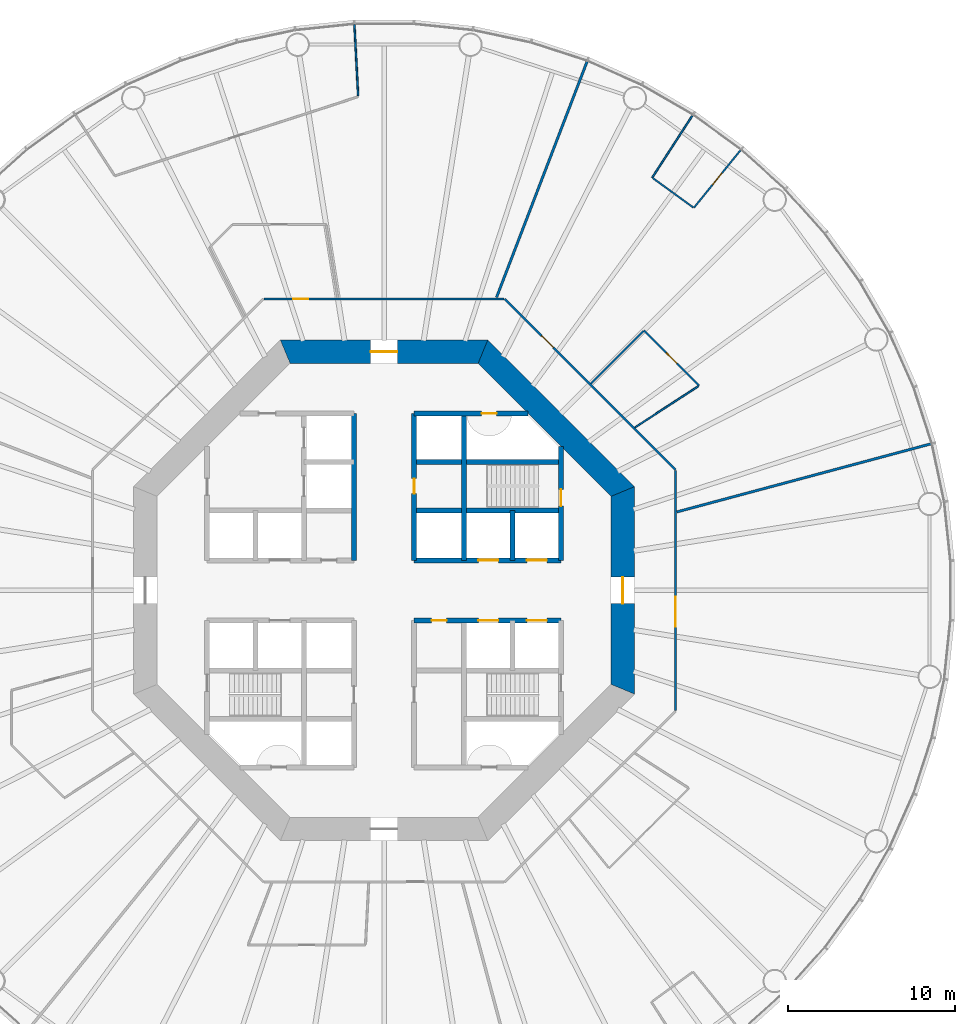
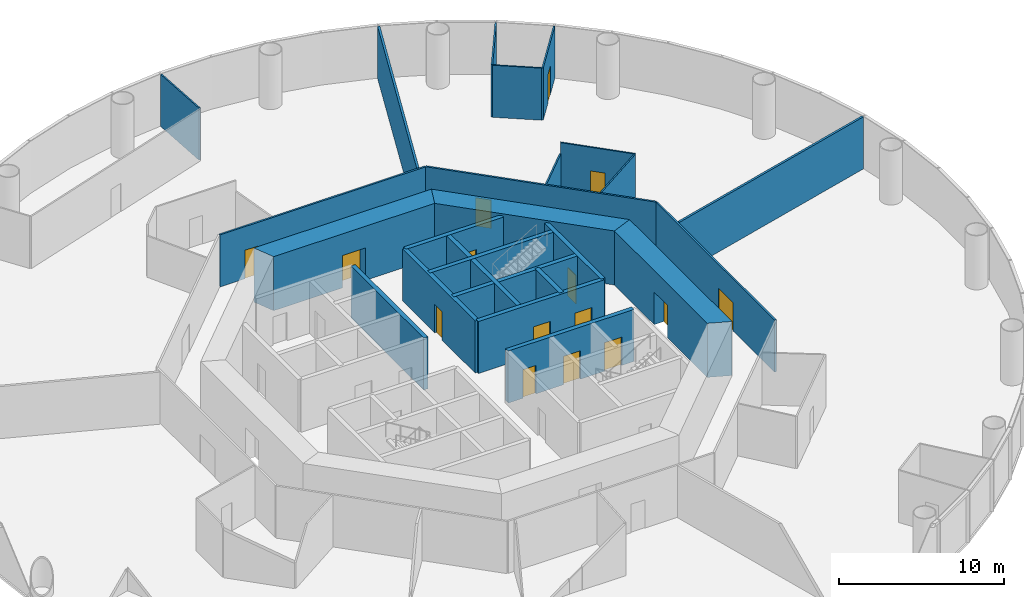
# One storey, part 5 of 13: 25 walls, 15 doors, 15 openings.
"""IFC4 building model written with IfcOpenShell, lengths in metres."""

from ifc_helpers import new_model, si_unit, direction, frame, frame_2d, origin, place, context, subcontext, project, spatial, polyline, rectangle, outline, extrude, material, layer, layer_set, type_object, element, fill, save


model = new_model("IFC4")

# Units and contexts
model_context = context("Model", 3, precision=1e-05, world=origin(), true_north=direction((0.0, 1.0)))
body_context = subcontext(model_context, "Body", "Model", "MODEL_VIEW")
ifc_project = project(units=[si_unit("LENGTHUNIT", "METRE"), si_unit("AREAUNIT", "SQUARE_METRE"), si_unit("VOLUMEUNIT", "CUBIC_METRE"), si_unit("PLANEANGLEUNIT", "RADIAN"), si_unit("MASSUNIT", "GRAM", prefix="KILO")], contexts=[model_context])

# Site, building, storey
site_placement = place(None, origin())
site = spatial("IfcSite", under=ifc_project, at=site_placement, CompositionType="ELEMENT")
building_placement = place(site_placement, origin())
building = spatial("IfcBuilding", under=site, at=building_placement, Name="Entoto Ring Tower", CompositionType="ELEMENT")
storey_placement = place(building_placement, frame((0.0, 0.0, 22.0)))
storey = spatial("IfcBuildingStorey", under=building, at=storey_placement, Name="L03", CompositionType="ELEMENT", Elevation=22.0)

# Wall, opening, door
ifc_material_1 = material(Name="Concrete C40/50", Category="concrete")
ifc_layer_1 = layer(ifc_material_1, 0.300048828125)
ifc_layer_set_1 = layer_set([ifc_layer_1], Name="Concrete C40/50")
wall_type_1 = type_object("IfcWallType", Name="Core enclosure wall 300 mm reinforced concrete", PredefinedType="SOLIDWALL", material=ifc_layer_set_1)
wall_1_placement = place(storey_placement, frame((100.60009765625, 81.800048828125, 0.0), z_axis=(0.0, 0.0, 1.0), x_axis=(0.0, 1.0, 0.0)))
wall_1 = element("IfcWall", 1, at=wall_1_placement, inside=storey, type_object=wall_type_1, Name="wall-L03-002", PredefinedType="SOLIDWALL", context=body_context, shape_type="SweptSolid", body=[
    extrude(rectangle(XDim=6.833251953125, YDim=0.300048828125, at=frame_2d((3.41650390625, 0.0))), origin(), (0.0, 0.0, 1.0), 3.85009765625),
])
opening_1_placement = place(wall_1_placement, frame((3.25, 0.0, 0.0)))
opening_1 = element("IfcOpeningElement", 2, at=opening_1_placement, cuts=wall_1, Name="Opening K-55", PredefinedType="OPENING", context=body_context, shape_type="SweptSolid", body=[
    extrude(rectangle(XDim=1.0, YDim=2.10009765625, at=frame_2d((0.5, 1.050048828125))), frame((0.0, 0.16015625, 0.0), z_axis=(0.0, -1.0, 0.0), x_axis=(1.0, 0.0, 0.0)), (0.0, 0.0, 1.0), 0.320068359375),
])
ifc_material_2 = material(Name="Steel door leaf, fire rated", Category="steel")
ifc_layer_2 = layer(ifc_material_2, 0.050048828125)
ifc_layer_set_2 = layer_set([ifc_layer_2], Name="Steel door leaf, fire rated")
door_type_1 = type_object("IfcDoorType", Name="Fire door FD60 1000 x 2100 single leaf", OperationType="NOTDEFINED", PredefinedType="DOOR", material=ifc_layer_set_2)
door_1_placement = place(opening_1_placement, origin())
door_1 = element("IfcDoor", 3, at=door_1_placement, inside=storey, type_object=door_type_1, Name="Door K-55", OperationType="SINGLE_SWING_LEFT", OverallHeight=2.10009765625, OverallWidth=1.0, PredefinedType="DOOR", context=body_context, shape_type="SweptSolid", body=[
    extrude(rectangle(XDim=1.0, YDim=2.10009765625, at=frame_2d((0.5, 1.050048828125))), frame((0.0, 0.02490234375, 0.0), z_axis=(0.0, -1.0, 0.0), x_axis=(1.0, 0.0, 0.0)), (0.0, 0.0, 1.0), 0.050048828125),
])
fill(opening_1, door_1)

# Walls
wall_2_placement = place(storey_placement, frame((97.699951171875, 81.800048828125, 0.0), z_axis=(0.0, 0.0, 1.0), x_axis=(0.0, 1.0, 0.0)))
element("IfcWall", 4, at=wall_2_placement, inside=storey, type_object=wall_type_1, Name="wall-L03-004", PredefinedType="SOLIDWALL", context=body_context, shape_type="SweptSolid", body=[
    extrude(rectangle(XDim=3.0, YDim=0.300048828125, at=frame_2d((1.5, 0.0))), origin(), (0.0, 0.0, 1.0), 3.85009765625),
])
wall_3_placement = place(storey_placement, frame((94.800048828125, 81.800048828125, 0.0), z_axis=(0.0, 0.0, 1.0), x_axis=(0.0, 1.0, 0.0)))
element("IfcWall", 5, at=wall_3_placement, inside=storey, type_object=wall_type_1, Name="wall-L03-006", PredefinedType="SOLIDWALL", context=body_context, shape_type="SweptSolid", body=[
    extrude(rectangle(XDim=8.800048828125, YDim=0.300048828125, at=frame_2d((4.39990234375, 0.0))), origin(), (0.0, 0.0, 1.0), 3.85009765625),
])

# Wall, opening, door
wall_4_placement = place(storey_placement, frame((91.800048828125, 81.800048828125, 0.0), z_axis=(0.0, 0.0, 1.0), x_axis=(0.0, 1.0, 0.0)))
wall_4 = element("IfcWall", 6, at=wall_4_placement, inside=storey, type_object=wall_type_1, Name="wall-L03-008", PredefinedType="SOLIDWALL", context=body_context, shape_type="SweptSolid", body=[
    extrude(rectangle(XDim=8.800048828125, YDim=0.300048828125, at=frame_2d((4.39990234375, 0.0))), origin(), (0.0, 0.0, 1.0), 3.85009765625),
])
opening_2_placement = place(wall_4_placement, frame((4.0, 0.0, 0.0)))
opening_2 = element("IfcOpeningElement", 7, at=opening_2_placement, cuts=wall_4, Name="Opening K-11", PredefinedType="OPENING", context=body_context, shape_type="SweptSolid", body=[
    extrude(rectangle(XDim=0.89990234375, YDim=2.10009765625, at=frame_2d((0.449951171875, 1.050048828125))), frame((0.0, 0.16015625, 0.0), z_axis=(0.0, -1.0, 0.0), x_axis=(1.0, 0.0, 0.0)), (0.0, 0.0, 1.0), 0.320068359375),
])
ifc_material_3 = material(Name="Steel door leaf, fire rated", Category="steel")
ifc_layer_3 = layer(ifc_material_3, 0.050048828125)
ifc_layer_set_3 = layer_set([ifc_layer_3], Name="Steel door leaf, fire rated")
door_type_2 = type_object("IfcDoorType", Name="Core door 900 x 2100 single leaf", OperationType="NOTDEFINED", PredefinedType="DOOR", material=ifc_layer_set_3)
door_2_placement = place(opening_2_placement, origin())
door_2 = element("IfcDoor", 8, at=door_2_placement, inside=storey, type_object=door_type_2, Name="Door K-11", OperationType="SINGLE_SWING_RIGHT", OverallHeight=2.10009765625, OverallWidth=0.89990234375, PredefinedType="DOOR", context=body_context, shape_type="SweptSolid", body=[
    extrude(rectangle(XDim=0.89990234375, YDim=2.10009765625, at=frame_2d((0.449951171875, 1.050048828125))), frame((0.0, 0.02490234375, 0.0), z_axis=(0.0, -1.0, 0.0), x_axis=(1.0, 0.0, 0.0)), (0.0, 0.0, 1.0), 0.050048828125),
])
fill(opening_2, door_2)

# Wall
wall_5_placement = place(storey_placement, frame((88.199951171875, 81.800048828125, 0.0), z_axis=(0.0, 0.0, 1.0), x_axis=(0.0, 1.0, 0.0)))
element("IfcWall", 9, at=wall_5_placement, inside=storey, type_object=wall_type_1, Name="wall-L03-010", PredefinedType="SOLIDWALL", context=body_context, shape_type="SweptSolid", body=[
    extrude(rectangle(XDim=8.800048828125, YDim=0.300048828125, at=frame_2d((4.39990234375, 0.0))), origin(), (0.0, 0.0, 1.0), 3.85009765625),
])

# Wall, openings, doors
wall_6_placement = place(storey_placement, frame((91.800048828125, 78.199951171875, 0.0), z_axis=(0.0, 0.0, 1.0), x_axis=(1.0, 0.0, 0.0)))
wall_6 = element("IfcWall", 10, at=wall_6_placement, inside=storey, type_object=wall_type_1, Name="wall-L03-024", PredefinedType="SOLIDWALL", context=body_context, shape_type="SweptSolid", body=[
    extrude(rectangle(XDim=8.800048828125, YDim=0.300048828125, at=frame_2d((4.39990234375, 0.0))), origin(), (0.0, 0.0, 1.0), 3.85009765625),
])
opening_3_placement = place(wall_6_placement, frame((3.85009765625, 0.0, 0.0)))
opening_3 = element("IfcOpeningElement", 11, at=opening_3_placement, cuts=wall_6, Name="Opening LD", PredefinedType="OPENING", context=body_context, shape_type="SweptSolid", body=[
    extrude(rectangle(XDim=1.199951171875, YDim=2.10009765625, at=frame_2d((0.60009765625, 1.050048828125))), frame((0.0, 0.16015625, 0.0), z_axis=(0.0, -1.0, 0.0), x_axis=(1.0, 0.0, 0.0)), (0.0, 0.0, 1.0), 0.320068359375),
])
opening_4_placement = place(wall_6_placement, frame((6.75, 0.0, 0.0)))
opening_4 = element("IfcOpeningElement", 12, at=opening_4_placement, cuts=wall_6, Name="Opening LD", PredefinedType="OPENING", context=body_context, shape_type="SweptSolid", body=[
    extrude(rectangle(XDim=1.199951171875, YDim=2.10009765625, at=frame_2d((0.60009765625, 1.050048828125))), frame((0.0, 0.16015625, 0.0), z_axis=(0.0, -1.0, 0.0), x_axis=(1.0, 0.0, 0.0)), (0.0, 0.0, 1.0), 0.320068359375),
])
opening_5_placement = place(wall_6_placement, frame((1.050048828125, 0.0, 0.0)))
opening_5 = element("IfcOpeningElement", 13, at=opening_5_placement, cuts=wall_6, Name="Opening K-15", PredefinedType="OPENING", context=body_context, shape_type="SweptSolid", body=[
    extrude(rectangle(XDim=0.89990234375, YDim=2.10009765625, at=frame_2d((0.449951171875, 1.050048828125))), frame((0.0, 0.16015625, 0.0), z_axis=(0.0, -1.0, 0.0), x_axis=(1.0, 0.0, 0.0)), (0.0, 0.0, 1.0), 0.320068359375),
])
door_3_placement = place(opening_5_placement, frame((0.89990234375, 0.0, 0.0), z_axis=(0.0, 0.0, 1.0), x_axis=(-1.0, 0.0, 0.0)))
door_3 = element("IfcDoor", 14, at=door_3_placement, inside=storey, type_object=door_type_2, Name="Door K-15", OperationType="SINGLE_SWING_RIGHT", OverallHeight=2.10009765625, OverallWidth=0.89990234375, PredefinedType="DOOR", context=body_context, shape_type="SweptSolid", body=[
    extrude(rectangle(XDim=0.89990234375, YDim=2.10009765625, at=frame_2d((0.449951171875, 1.050048828125))), frame((0.0, 0.02490234375, 0.0), z_axis=(0.0, -1.0, 0.0), x_axis=(1.0, 0.0, 0.0)), (0.0, 0.0, 1.0), 0.050048828125),
])
fill(opening_5, door_3)
ifc_material_4 = material(Name="Steel and glass door leaf", Category="steel")
ifc_layer_4 = layer(ifc_material_4, 0.050048828125)
ifc_layer_set_4 = layer_set([ifc_layer_4], Name="Steel and glass door leaf")
door_type_3 = type_object("IfcDoorType", Name="Landing door 1200 x 2100 sliding", OperationType="DOUBLE_DOOR_SLIDING", PredefinedType="DOOR", material=ifc_layer_set_4)
door_4_placement = place(opening_3_placement, origin())
door_4 = element("IfcDoor", 15, at=door_4_placement, inside=storey, type_object=door_type_3, Name="Landing door LB4-LR", OperationType="SLIDING_TO_RIGHT", OverallHeight=2.10009765625, OverallWidth=1.199951171875, PredefinedType="DOOR", context=body_context, shape_type="SweptSolid", body=[
    extrude(rectangle(XDim=1.199951171875, YDim=2.10009765625, at=frame_2d((0.60009765625, 1.050048828125))), frame((0.0, 0.02490234375, 0.0), z_axis=(0.0, -1.0, 0.0), x_axis=(1.0, 0.0, 0.0)), (0.0, 0.0, 1.0), 0.050048828125),
])
fill(opening_3, door_4)
door_5_placement = place(opening_4_placement, origin())
door_5 = element("IfcDoor", 16, at=door_5_placement, inside=storey, type_object=door_type_3, Name="Landing door LB5-LR", OperationType="SLIDING_TO_RIGHT", OverallHeight=2.10009765625, OverallWidth=1.199951171875, PredefinedType="DOOR", context=body_context, shape_type="SweptSolid", body=[
    extrude(rectangle(XDim=1.199951171875, YDim=2.10009765625, at=frame_2d((0.60009765625, 1.050048828125))), frame((0.0, 0.02490234375, 0.0), z_axis=(0.0, -1.0, 0.0), x_axis=(1.0, 0.0, 0.0)), (0.0, 0.0, 1.0), 0.050048828125),
])
fill(opening_4, door_5)

wall_7_placement = place(storey_placement, frame((91.800048828125, 81.800048828125, 0.0), z_axis=(0.0, 0.0, 1.0), x_axis=(1.0, 0.0, 0.0)))
wall_7 = element("IfcWall", 17, at=wall_7_placement, inside=storey, type_object=wall_type_1, Name="wall-L03-026", PredefinedType="SOLIDWALL", context=body_context, shape_type="SweptSolid", body=[
    extrude(rectangle(XDim=8.800048828125, YDim=0.300048828125, at=frame_2d((4.39990234375, 0.0))), origin(), (0.0, 0.0, 1.0), 3.85009765625),
])
opening_6_placement = place(wall_7_placement, frame((3.85009765625, 0.0, 0.0)))
opening_6 = element("IfcOpeningElement", 18, at=opening_6_placement, cuts=wall_7, Name="Opening LD", PredefinedType="OPENING", context=body_context, shape_type="SweptSolid", body=[
    extrude(rectangle(XDim=1.199951171875, YDim=2.10009765625, at=frame_2d((0.60009765625, 1.050048828125))), frame((0.0, 0.16015625, 0.0), z_axis=(0.0, -1.0, 0.0), x_axis=(1.0, 0.0, 0.0)), (0.0, 0.0, 1.0), 0.320068359375),
])
opening_7_placement = place(wall_7_placement, frame((6.75, 0.0, 0.0)))
opening_7 = element("IfcOpeningElement", 19, at=opening_7_placement, cuts=wall_7, Name="Opening LD", PredefinedType="OPENING", context=body_context, shape_type="SweptSolid", body=[
    extrude(rectangle(XDim=1.199951171875, YDim=2.10009765625, at=frame_2d((0.60009765625, 1.050048828125))), frame((0.0, 0.16015625, 0.0), z_axis=(0.0, -1.0, 0.0), x_axis=(1.0, 0.0, 0.0)), (0.0, 0.0, 1.0), 0.320068359375),
])
door_6_placement = place(opening_6_placement, origin())
door_6 = element("IfcDoor", 20, at=door_6_placement, inside=storey, type_object=door_type_3, Name="Landing door LB1-LR", OperationType="SLIDING_TO_RIGHT", OverallHeight=2.10009765625, OverallWidth=1.199951171875, PredefinedType="DOOR", context=body_context, shape_type="SweptSolid", body=[
    extrude(rectangle(XDim=1.199951171875, YDim=2.10009765625, at=frame_2d((0.60009765625, 1.050048828125))), frame((0.0, 0.02490234375, 0.0), z_axis=(0.0, -1.0, 0.0), x_axis=(1.0, 0.0, 0.0)), (0.0, 0.0, 1.0), 0.050048828125),
])
fill(opening_6, door_6)
door_7_placement = place(opening_7_placement, origin())
door_7 = element("IfcDoor", 21, at=door_7_placement, inside=storey, type_object=door_type_3, Name="Landing door LB2-LR", OperationType="SLIDING_TO_RIGHT", OverallHeight=2.10009765625, OverallWidth=1.199951171875, PredefinedType="DOOR", context=body_context, shape_type="SweptSolid", body=[
    extrude(rectangle(XDim=1.199951171875, YDim=2.10009765625, at=frame_2d((0.60009765625, 1.050048828125))), frame((0.0, 0.02490234375, 0.0), z_axis=(0.0, -1.0, 0.0), x_axis=(1.0, 0.0, 0.0)), (0.0, 0.0, 1.0), 0.050048828125),
])
fill(opening_7, door_7)

# Walls
for number, where, z_axis, x_axis, name in (
    (22, (91.800048828125, 84.800048828125, 0.0), (0.0, 0.0, 1.0), (1.0, 0.0, 0.0), "wall-L03-028"),
    (23, (91.800048828125, 87.699951171875, 0.0), (0.0, 0.0, 1.0), (1.0, 0.0, 0.0), "wall-L03-030"),
):
    element("IfcWall", number, at=place(storey_placement, frame(where, z_axis=z_axis, x_axis=x_axis)), inside=storey, type_object=wall_type_1, Name=name, PredefinedType="SOLIDWALL", context=body_context, shape_type="SweptSolid", body=[
        extrude(rectangle(XDim=8.800048828125, YDim=0.300048828125, at=frame_2d((4.39990234375, 0.0))), origin(), (0.0, 0.0, 1.0), 3.85009765625),
    ])

# Wall, opening, door
wall_8_placement = place(storey_placement, frame((91.800048828125, 90.60009765625, 0.0), z_axis=(0.0, 0.0, 1.0), x_axis=(1.0, 0.0, 0.0)))
wall_8 = element("IfcWall", 24, at=wall_8_placement, inside=storey, type_object=wall_type_1, Name="wall-L03-032", PredefinedType="SOLIDWALL", context=body_context, shape_type="SweptSolid", body=[
    extrude(rectangle(XDim=6.833251953125, YDim=0.300048828125, at=frame_2d((3.41650390625, 0.0))), origin(), (0.0, 0.0, 1.0), 3.85009765625),
])
opening_8_placement = place(wall_8_placement, frame((4.050048828125, 0.0, 0.0)))
opening_8 = element("IfcOpeningElement", 25, at=opening_8_placement, cuts=wall_8, Name="Opening K-62", PredefinedType="OPENING", context=body_context, shape_type="SweptSolid", body=[
    extrude(rectangle(XDim=0.89990234375, YDim=2.10009765625, at=frame_2d((0.449951171875, 1.050048828125))), frame((0.0, 0.16015625, 0.0), z_axis=(0.0, -1.0, 0.0), x_axis=(1.0, 0.0, 0.0)), (0.0, 0.0, 1.0), 0.320068359375),
])
ifc_material_5 = material(Name="Steel door leaf, fire rated", Category="steel")
ifc_layer_5 = layer(ifc_material_5, 0.050048828125)
ifc_layer_set_5 = layer_set([ifc_layer_5], Name="Steel door leaf, fire rated")
door_type_4 = type_object("IfcDoorType", Name="Riser door FD60 900 x 2100 single leaf", OperationType="NOTDEFINED", PredefinedType="DOOR", material=ifc_layer_set_5)
door_8_placement = place(opening_8_placement, frame((0.89990234375, 0.0, 0.0), z_axis=(0.0, 0.0, 1.0), x_axis=(-1.0, 0.0, 0.0)))
door_8 = element("IfcDoor", 26, at=door_8_placement, inside=storey, type_object=door_type_4, Name="Door K-62", OperationType="SINGLE_SWING_LEFT", OverallHeight=2.10009765625, OverallWidth=0.89990234375, PredefinedType="DOOR", context=body_context, shape_type="SweptSolid", body=[
    extrude(rectangle(XDim=0.89990234375, YDim=2.10009765625, at=frame_2d((0.449951171875, 1.050048828125))), frame((0.0, 0.02490234375, 0.0), z_axis=(0.0, -1.0, 0.0), x_axis=(1.0, 0.0, 0.0)), (0.0, 0.0, 1.0), 0.050048828125),
])
fill(opening_8, door_8)

ifc_material_6 = material(Name="Concrete C60/75", Category="concrete")
ifc_layer_6 = layer(ifc_material_6, 1.39990234375)
ifc_layer_set_6 = layer_set([ifc_layer_6], Name="Concrete C60/75")
wall_type_2 = type_object("IfcWallType", Name="Core shear wall 1400 mm reinforced concrete C60/75", PredefinedType="SHEAR", material=ifc_layer_set_6)
wall_9_placement = place(storey_placement, frame((104.300048828125, 74.07666015625, 0.0), z_axis=(0.0, 0.0, 1.0), x_axis=(0.0, 1.0, 0.0)))
wall_9 = element("IfcWall", 27, at=wall_9_placement, inside=storey, type_object=wall_type_2, Name="wall-L03-core-0", PredefinedType="SHEAR", context=body_context, shape_type="SweptSolid", body=[
    extrude(outline(polyline([(-0.2900390625, -0.699951171875), (12.13671875, -0.699951171875), (11.556640625, 0.699951171875), (0.2900390625, 0.699951171875), (-0.2900390625, -0.699951171875)])), origin(), (0.0, 0.0, 1.0), 4.0),
])
opening_9_placement = place(wall_9_placement, frame((5.123291015625, 0.0, 0.0)))
opening_9 = element("IfcOpeningElement", 28, at=opening_9_placement, cuts=wall_9, Name="Opening K-01", PredefinedType="OPENING", context=body_context, shape_type="SweptSolid", body=[
    extrude(rectangle(XDim=1.60009765625, YDim=2.39990234375, at=frame_2d((0.800048828125, 1.199951171875))), frame((0.0, 0.7099609375, 0.0), z_axis=(0.0, -1.0, 0.0), x_axis=(1.0, 0.0, 0.0)), (0.0, 0.0, 1.0), 1.419921875),
])
ifc_material_7 = material(Name="Steel door leaf, fire rated", Category="steel")
ifc_layer_7 = layer(ifc_material_7, 0.050048828125)
ifc_layer_set_7 = layer_set([ifc_layer_7], Name="Steel door leaf, fire rated")
door_type_5 = type_object("IfcDoorType", Name="Entrance door FD60 1600 x 2400 double leaf", OperationType="DOUBLE_DOOR_SINGLE_SWING", PredefinedType="DOOR", material=ifc_layer_set_7)
door_9_placement = place(opening_9_placement, origin())
door_9 = element("IfcDoor", 29, at=door_9_placement, inside=storey, type_object=door_type_5, Name="Entrance door K-01", OperationType="DOUBLE_DOOR_SINGLE_SWING", OverallHeight=2.39990234375, OverallWidth=1.60009765625, PredefinedType="DOOR", context=body_context, shape_type="SweptSolid", body=[
    extrude(rectangle(XDim=1.60009765625, YDim=2.39990234375, at=frame_2d((0.800048828125, 1.199951171875))), frame((0.0, 0.02490234375, 0.0), z_axis=(0.0, -1.0, 0.0), x_axis=(1.0, 0.0, 0.0)), (0.0, 0.0, 1.0), 0.050048828125),
])
fill(opening_9, door_9)

# Wall
wall_10_placement = place(storey_placement, frame((104.300048828125, 85.92333984375, 0.0), z_axis=(0.0, 0.0, 1.0), x_axis=(-0.707106781187, 0.707106781187, 0.0)))
element("IfcWall", 30, at=wall_10_placement, inside=storey, type_object=wall_type_2, Name="wall-L03-core-1", PredefinedType="SHEAR", context=body_context, shape_type="SweptSolid", body=[
    extrude(outline(polyline([(-0.2900390625, -0.699951171875), (12.136474609375, -0.699951171875), (11.556396484375, 0.699951171875), (0.2900390625, 0.699951171875), (-0.2900390625, -0.699951171875)])), origin(), (0.0, 0.0, 1.0), 4.0),
])

# Wall, opening, door
wall_11_placement = place(storey_placement, frame((95.92333984375, 94.300048828125, 0.0), z_axis=(0.0, 0.0, 1.0), x_axis=(-1.0, 0.0, 0.0)))
wall_11 = element("IfcWall", 31, at=wall_11_placement, inside=storey, type_object=wall_type_2, Name="wall-L03-core-2", PredefinedType="SHEAR", context=body_context, shape_type="SweptSolid", body=[
    extrude(outline(polyline([(-0.2900390625, -0.699951171875), (12.13671875, -0.699951171875), (11.556640625, 0.699951171875), (0.2900390625, 0.699951171875), (-0.2900390625, -0.699951171875)])), origin(), (0.0, 0.0, 1.0), 4.0),
])
opening_10_placement = place(wall_11_placement, frame((5.123291015625, 0.0, 0.0)))
opening_10 = element("IfcOpeningElement", 32, at=opening_10_placement, cuts=wall_11, Name="Opening K-02", PredefinedType="OPENING", context=body_context, shape_type="SweptSolid", body=[
    extrude(rectangle(XDim=1.60009765625, YDim=2.39990234375, at=frame_2d((0.800048828125, 1.199951171875))), frame((0.0, 0.7099609375, 0.0), z_axis=(0.0, -1.0, 0.0), x_axis=(1.0, 0.0, 0.0)), (0.0, 0.0, 1.0), 1.419921875),
])
door_10_placement = place(opening_10_placement, origin())
door_10 = element("IfcDoor", 33, at=door_10_placement, inside=storey, type_object=door_type_5, Name="Entrance door K-02", OperationType="DOUBLE_DOOR_SINGLE_SWING", OverallHeight=2.39990234375, OverallWidth=1.60009765625, PredefinedType="DOOR", context=body_context, shape_type="SweptSolid", body=[
    extrude(rectangle(XDim=1.60009765625, YDim=2.39990234375, at=frame_2d((0.800048828125, 1.199951171875))), frame((0.0, 0.02490234375, 0.0), z_axis=(0.0, -1.0, 0.0), x_axis=(1.0, 0.0, 0.0)), (0.0, 0.0, 1.0), 0.050048828125),
])
fill(opening_10, door_10)

ifc_material_8 = material(Name="Fire-resisting plasterboard on steel studs", Category="steel")
ifc_layer_8 = layer(ifc_material_8, 0.125)
ifc_layer_set_8 = layer_set([ifc_layer_8], Name="Fire-resisting plasterboard on steel studs")
wall_type_3 = type_object("IfcWallType", Name="Corridor wall 125 mm one-hour plasterboard on steel studs", PredefinedType="PARTITIONING", material=ifc_layer_set_8)
wall_12_placement = place(storey_placement, frame((107.46240234375, 87.233154296875, 0.0), z_axis=(0.0, 0.0, 1.0), x_axis=(-0.707106781187, 0.707106781187, 0.0)))
wall_12 = element("IfcWall", 34, at=wall_12_placement, inside=storey, type_object=wall_type_3, Name="partition-L03-004", PredefinedType="PARTITIONING", context=body_context, shape_type="SweptSolid", body=[
    extrude(rectangle(XDim=14.46630859375, YDim=0.125, at=frame_2d((7.233154296875, 0.0))), origin(), (0.0, 0.0, 1.0), 3.85009765625),
])
opening_11_placement = place(wall_12_placement, frame((10.349853515625, 0.0, 0.0)))
opening_11 = element("IfcOpeningElement", 35, at=opening_11_placement, cuts=wall_12, Name="Opening A02-D14", PredefinedType="OPENING", context=body_context, shape_type="SweptSolid", body=[
    extrude(rectangle(XDim=1.0, YDim=2.10009765625, at=frame_2d((0.5, 1.050048828125))), frame((0.0, 0.072509765625, 0.0), z_axis=(0.0, -1.0, 0.0), x_axis=(1.0, 0.0, 0.0)), (0.0, 0.0, 1.0), 0.14501953125),
])
ifc_material_9 = material(Name="Fire-resisting timber door set", Category="wood")
door_type_6 = type_object("IfcDoorType", Name="Door 1000 x 2100 single leaf FD30S fire door", OperationType="NOTDEFINED", PredefinedType="DOOR", material=ifc_material_9)
door_11_placement = place(opening_11_placement, frame((1.0, 0.0, 0.0), z_axis=(0.0, 0.0, 1.0), x_axis=(-1.0, 0.0, 0.0)))
door_11 = element("IfcDoor", 36, at=door_11_placement, inside=storey, type_object=door_type_6, Name="Door A02-D14", OperationType="SINGLE_SWING_RIGHT", OverallHeight=2.10009765625, OverallWidth=1.0, PredefinedType="DOOR", context=body_context, shape_type="SweptSolid", body=[
    extrude(rectangle(XDim=1.0, YDim=2.10009765625, at=frame_2d((0.5, 1.050048828125))), frame((0.0, 0.02490234375, 0.0), z_axis=(0.0, -1.0, 0.0), x_axis=(1.0, 0.0, 0.0)), (0.0, 0.0, 1.0), 0.050048828125),
])
fill(opening_11, door_11)

wall_13_placement = place(storey_placement, frame((82.810791015625, 97.46240234375, 0.0), z_axis=(0.0, 0.0, 1.0), x_axis=(1.0, 0.0, 0.0)))
wall_13 = element("IfcWall", 37, at=wall_13_placement, inside=storey, type_object=wall_type_3, Name="partition-L03-007", PredefinedType="PARTITIONING", context=body_context, shape_type="SweptSolid", body=[
    extrude(rectangle(XDim=14.37841796875, YDim=0.125, at=frame_2d((7.189208984375, 0.0))), origin(), (0.0, 0.0, 1.0), 3.85009765625),
])
opening_12_placement = place(wall_13_placement, frame((1.73974609375, 0.0, 0.0)))
opening_12 = element("IfcOpeningElement", 38, at=opening_12_placement, cuts=wall_13, Name="Opening A02-D03", PredefinedType="OPENING", context=body_context, shape_type="SweptSolid", body=[
    extrude(rectangle(XDim=0.89990234375, YDim=2.10009765625, at=frame_2d((0.449951171875, 1.050048828125))), frame((0.0, 0.072509765625, 0.0), z_axis=(0.0, -1.0, 0.0), x_axis=(1.0, 0.0, 0.0)), (0.0, 0.0, 1.0), 0.14501953125),
])
door_12_placement = place(opening_12_placement, origin())
door_12 = element("IfcDoor", 39, at=door_12_placement, inside=storey, type_object=door_type_6, Name="Door A02-D03", OperationType="SINGLE_SWING_RIGHT", OverallHeight=2.10009765625, OverallWidth=0.89990234375, PredefinedType="DOOR", context=body_context, shape_type="SweptSolid", body=[
    extrude(rectangle(XDim=0.89990234375, YDim=2.10009765625, at=frame_2d((0.449951171875, 1.050048828125))), frame((0.0, 0.02490234375, 0.0), z_axis=(0.0, -1.0, 0.0), x_axis=(1.0, 0.0, 0.0)), (0.0, 0.0, 1.0), 0.050048828125),
])
fill(opening_12, door_12)

wall_14_placement = place(storey_placement, frame((107.46240234375, 72.810791015625, 0.0), z_axis=(0.0, 0.0, 1.0), x_axis=(0.0, 1.0, 0.0)))
wall_14 = element("IfcWall", 40, at=wall_14_placement, inside=storey, type_object=wall_type_3, Name="partition-L03-008", PredefinedType="PARTITIONING", context=body_context, shape_type="SweptSolid", body=[
    extrude(rectangle(XDim=14.37841796875, YDim=0.125, at=frame_2d((7.189208984375, 0.0))), origin(), (0.0, 0.0, 1.0), 3.85009765625),
])
opening_13_placement = place(wall_14_placement, frame((5.01220703125, 0.0, 0.0)))
opening_13 = element("IfcOpeningElement", 41, at=opening_13_placement, cuts=wall_14, Name="Opening A02-D11", PredefinedType="OPENING", context=body_context, shape_type="SweptSolid", body=[
    extrude(rectangle(XDim=1.800048828125, YDim=2.10009765625, at=frame_2d((0.89990234375, 1.050048828125))), frame((0.0, 0.072509765625, 0.0), z_axis=(0.0, -1.0, 0.0), x_axis=(1.0, 0.0, 0.0)), (0.0, 0.0, 1.0), 0.14501953125),
])
ifc_material_10 = material(Name="Fire-resisting timber door set", Category="wood")
door_type_7 = type_object("IfcDoorType", Name="Door 1800 x 2100 double leaf FD30S fire door", OperationType="DOUBLE_DOOR_SINGLE_SWING", PredefinedType="DOOR", material=ifc_material_10)
door_13_placement = place(opening_13_placement, origin())
door_13 = element("IfcDoor", 42, at=door_13_placement, inside=storey, type_object=door_type_7, Name="Door A02-D11", OperationType="DOUBLE_DOOR_SINGLE_SWING", OverallHeight=2.10009765625, OverallWidth=1.800048828125, PredefinedType="DOOR", context=body_context, shape_type="SweptSolid", body=[
    extrude(rectangle(XDim=1.800048828125, YDim=2.10009765625, at=frame_2d((0.89990234375, 1.050048828125))), frame((0.0, 0.02490234375, 0.0), z_axis=(0.0, -1.0, 0.0), x_axis=(1.0, 0.0, 0.0)), (0.0, 0.0, 1.0), 0.050048828125),
])
fill(opening_13, door_13)

ifc_material_11 = material(Name="Plasterboard on steel studs", Category="steel")
ifc_layer_9 = layer(ifc_material_11, 0.10009765625)
ifc_layer_set_9 = layer_set([ifc_layer_9], Name="Plasterboard on steel studs")
wall_type_4 = type_object("IfcWallType", Name="Partition 100 mm plasterboard on steel studs", PredefinedType="PARTITIONING", material=ifc_layer_set_9)
wall_15_placement = place(storey_placement, frame((108.882080078125, 92.26220703125, 0.0), z_axis=(0.0, 0.0, 1.0), x_axis=(-0.707080702639, 0.707132858772, 0.0)))
wall_15 = element("IfcWall", 43, at=wall_15_placement, inside=storey, type_object=wall_type_4, Name="partition-L03-025", PredefinedType="PARTITIONING", context=body_context, shape_type="SweptSolid", body=[
    extrude(rectangle(XDim=4.680908203125, YDim=0.10009765625, at=frame_2d((2.34033203125, 0.0))), origin(), (0.0, 0.0, 1.0), 3.85009765625),
])
opening_14_placement = place(wall_15_placement, frame((1.890380859375, 0.0, 0.0)))
opening_14 = element("IfcOpeningElement", 44, at=opening_14_placement, cuts=wall_15, Name="Opening A02-D15", PredefinedType="OPENING", context=body_context, shape_type="SweptSolid", body=[
    extrude(rectangle(XDim=0.89990234375, YDim=2.10009765625, at=frame_2d((0.449951171875, 1.050048828125))), frame((0.0, 0.06005859375, 0.0), z_axis=(0.0, -1.0, 0.0), x_axis=(1.0, 0.0, 0.0)), (0.0, 0.0, 1.0), 0.1201171875),
])
ifc_material_12 = material(Name="Veneered timber door leaf in timber frame", Category="wood")
door_type_8 = type_object("IfcDoorType", Name="Door 900 x 2100 single leaf timber veneer", OperationType="NOTDEFINED", PredefinedType="DOOR", material=ifc_material_12)
door_14_placement = place(opening_14_placement, origin())
door_14 = element("IfcDoor", 45, at=door_14_placement, inside=storey, type_object=door_type_8, Name="Door A02-D15", OperationType="SINGLE_SWING_LEFT", OverallHeight=2.10009765625, OverallWidth=0.89990234375, PredefinedType="DOOR", context=body_context, shape_type="SweptSolid", body=[
    extrude(rectangle(XDim=0.89990234375, YDim=2.10009765625, at=frame_2d((0.449951171875, 1.050048828125))), frame((0.0, 0.02490234375, 0.0), z_axis=(0.0, -1.0, 0.0), x_axis=(1.0, 0.0, 0.0)), (0.0, 0.0, 1.0), 0.050048828125),
])
fill(opening_14, door_14)

# Wall
wall_16_placement = place(storey_placement, frame((105.034912109375, 89.763916015625, 0.0), z_axis=(0.0, 0.0, 1.0), x_axis=(0.838678941952, 0.544626139959, 0.0)))
element("IfcWall", 46, at=wall_16_placement, inside=storey, type_object=wall_type_4, Name="partition-L03-026", PredefinedType="PARTITIONING", context=body_context, shape_type="SweptSolid", body=[
    extrude(rectangle(XDim=4.525634765625, YDim=0.10009765625, at=frame_2d((2.2626953125, 0.0))), origin(), (0.0, 0.0, 1.0), 3.85009765625),
])

# Wall, opening, door
wall_17_placement = place(storey_placement, frame((108.55859375, 102.91796875, 0.0), z_axis=(0.0, 0.0, 1.0), x_axis=(0.629333948736, 0.777134982464, 0.0)))
wall_17 = element("IfcWall", 47, at=wall_17_placement, inside=storey, type_object=wall_type_4, Name="partition-L03-032", PredefinedType="PARTITIONING", context=body_context, shape_type="SweptSolid", body=[
    extrude(rectangle(XDim=4.449951171875, YDim=0.10009765625, at=frame_2d((2.22509765625, 0.0))), origin(), (0.0, 0.0, 1.0), 3.85009765625),
])
opening_15_placement = place(wall_17_placement, frame((1.77490234375, 0.0, 0.0)))
opening_15 = element("IfcOpeningElement", 48, at=opening_15_placement, cuts=wall_17, Name="Opening A02-D16", PredefinedType="OPENING", context=body_context, shape_type="SweptSolid", body=[
    extrude(rectangle(XDim=0.89990234375, YDim=2.10009765625, at=frame_2d((0.449951171875, 1.050048828125))), frame((0.0, 0.06005859375, 0.0), z_axis=(0.0, -1.0, 0.0), x_axis=(1.0, 0.0, 0.0)), (0.0, 0.0, 1.0), 0.1201171875),
])
door_15_placement = place(opening_15_placement, origin())
door_15 = element("IfcDoor", 49, at=door_15_placement, inside=storey, type_object=door_type_8, Name="Door A02-D16", OperationType="SINGLE_SWING_RIGHT", OverallHeight=2.10009765625, OverallWidth=0.89990234375, PredefinedType="DOOR", context=body_context, shape_type="SweptSolid", body=[
    extrude(rectangle(XDim=0.89990234375, YDim=2.10009765625, at=frame_2d((0.449951171875, 1.050048828125))), frame((0.0, 0.02490234375, 0.0), z_axis=(0.0, -1.0, 0.0), x_axis=(1.0, 0.0, 0.0)), (0.0, 0.0, 1.0), 0.050048828125),
])
fill(opening_15, door_15)

# Walls
wall_18_placement = place(storey_placement, frame((106.061279296875, 104.732421875, 0.0), z_axis=(0.0, 0.0, 1.0), x_axis=(0.544658564823, 0.838657884816, 0.0)))
element("IfcWall", 50, at=wall_18_placement, inside=storey, type_object=wall_type_4, Name="partition-L03-033", PredefinedType="PARTITIONING", context=body_context, shape_type="SweptSolid", body=[
    extrude(rectangle(XDim=4.4501953125, YDim=0.10009765625, at=frame_2d((2.22509765625, 0.0))), origin(), (0.0, 0.0, 1.0), 3.85009765625),
])
wall_19_placement = place(storey_placement, frame((88.447265625, 109.62744140625, 0.0), z_axis=(0.0, 0.0, 1.0), x_axis=(-0.05234886312, 0.99862885825, 0.0)))
element("IfcWall", 51, at=wall_19_placement, inside=storey, type_object=wall_type_4, Name="partition-L03-037", PredefinedType="PARTITIONING", context=body_context, shape_type="SweptSolid", body=[
    extrude(rectangle(XDim=4.27197265625, YDim=0.10009765625, at=frame_2d((2.135986328125, 0.0))), origin(), (0.0, 0.0, 1.0), 3.85009765625),
])
wall_20_placement = place(storey_placement, frame((108.518310546875, 102.947509765625, 0.0), z_axis=(0.0, 0.0, 1.0), x_axis=(-0.809068219654, 0.587714740282, 0.0)))
element("IfcWall", 52, at=wall_20_placement, inside=storey, type_object=wall_type_4, Name="partition-L03-043", PredefinedType="PARTITIONING", context=body_context, shape_type="SweptSolid", body=[
    extrude(rectangle(XDim=2.98681640625, YDim=0.10009765625, at=frame_2d((1.493408203125, 0.0))), origin(), (0.0, 0.0, 1.0), 3.85009765625),
])
ifc_material_13 = material(Name="Plasterboard on steel studs", Category="steel")
ifc_layer_10 = layer(ifc_material_13, 0.10009765625)
ifc_layer_set_10 = layer_set([ifc_layer_10], Name="Plasterboard on steel studs")
wall_type_5 = type_object("IfcWallType", Name="Partition 100 mm plasterboard on steel studs, 3050 mm high", PredefinedType="PARTITIONING", material=ifc_layer_set_10)
wall_21_placement = place(storey_placement, frame((102.39208984375, 92.39208984375, 0.0), z_axis=(0.0, 0.0, 1.0), x_axis=(0.707106781187, 0.707106781187, 0.0)))
element("IfcWall", 53, at=wall_21_placement, inside=storey, type_object=wall_type_5, Name="partition-L03-027", PredefinedType="PARTITIONING", context=body_context, shape_type="SweptSolid", body=[
    extrude(rectangle(XDim=4.447265625, YDim=0.10009765625, at=frame_2d((2.2236328125, 0.0))), origin(), (0.0, 0.0, 1.0), 3.050048828125),
])
ifc_material_14 = material(Name="Fire-resisting acoustic plasterboard on steel studs", Category="steel")
ifc_layer_11 = layer(ifc_material_14, 0.14990234375)
ifc_layer_set_11 = layer_set([ifc_layer_11], Name="Fire-resisting acoustic plasterboard on steel studs")
wall_type_6 = type_object("IfcWallType", Name="Party wall 150 mm one-hour acoustic plasterboard on steel studs", PredefinedType="PARTITIONING", material=ifc_layer_set_11)
wall_22_placement = place(storey_placement, frame((107.544189453125, 84.700927734375, 0.0), z_axis=(0.0, 0.0, 1.0), x_axis=(0.965927329602, 0.258813434598, 0.0)))
element("IfcWall", 54, at=wall_22_placement, inside=storey, type_object=wall_type_6, Name="partition-L03-011", PredefinedType="PARTITIONING", context=body_context, shape_type="SweptSolid", body=[
    extrude(rectangle(XDim=15.77685546875, YDim=0.14990234375, at=frame_2d((7.888427734375, 0.0))), origin(), (0.0, 0.0, 1.0), 3.85009765625),
])
wall_23_placement = place(storey_placement, frame((96.737548828125, 97.5517578125, 0.0), z_axis=(0.0, 0.0, 1.0), x_axis=(0.358367379191, 0.933580645435, 0.0)))
element("IfcWall", 55, at=wall_23_placement, inside=storey, type_object=wall_type_6, Name="partition-L03-013", PredefinedType="PARTITIONING", context=body_context, shape_type="SweptSolid", body=[
    extrude(rectangle(XDim=15.1396484375, YDim=0.14990234375, at=frame_2d((7.56982421875, 0.0))), origin(), (0.0, 0.0, 1.0), 3.85009765625),
])

save(model, "model.ifc")
